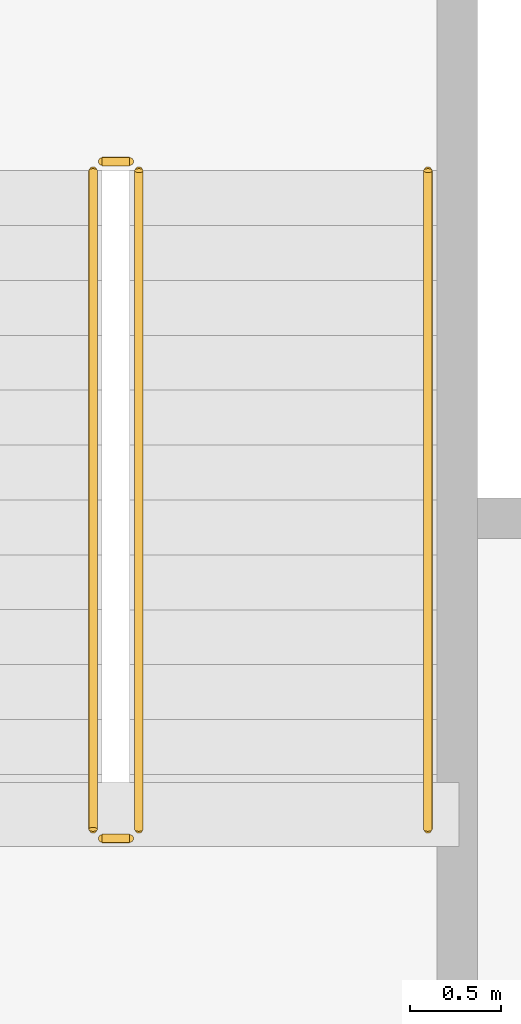
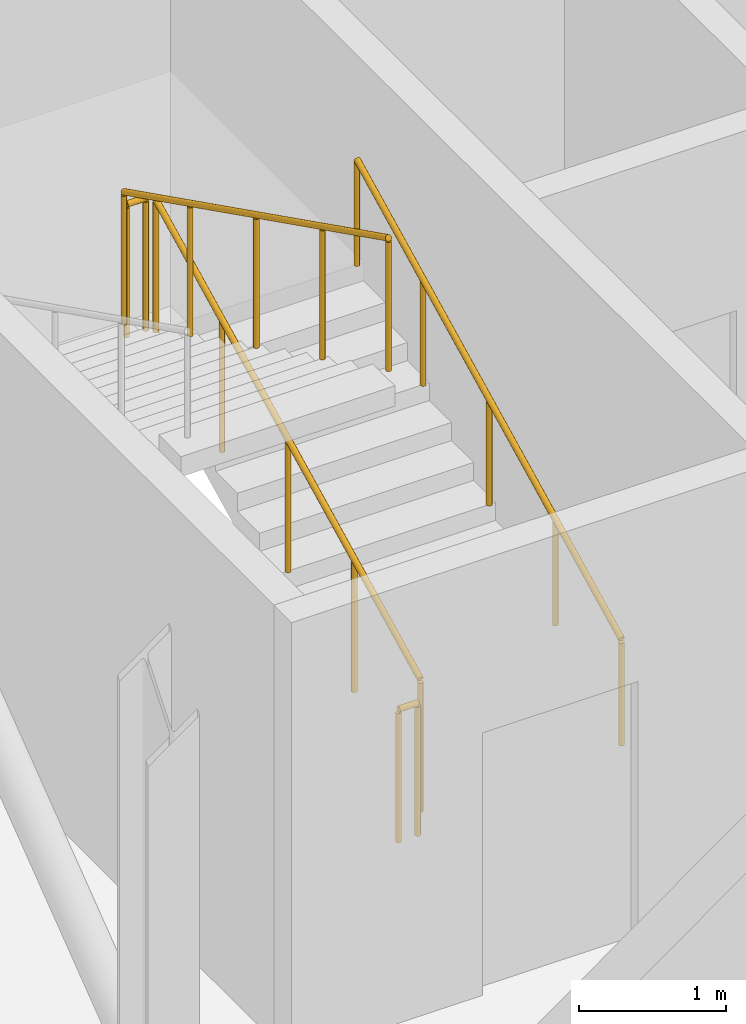
# One storey, part 75 of 77: 5 railings.
"""IFC4 building model written with IfcOpenShell, lengths in metres."""

from ifc_helpers import new_model, si_unit, direction, frame, origin, origin_2d, place, context, subcontext, project, spatial, circle, extrude, material, layer, layer_set, type_object, element, save


model = new_model("IFC4")

# Units and contexts
model_context = context("Model", 3, precision=1e-05, world=origin(), true_north=direction((0.0, 1.0)))
body_context = subcontext(model_context, "Body", "Model", "MODEL_VIEW")
ifc_project = project(units=[si_unit("LENGTHUNIT", "METRE"), si_unit("AREAUNIT", "SQUARE_METRE"), si_unit("VOLUMEUNIT", "CUBIC_METRE"), si_unit("PLANEANGLEUNIT", "RADIAN"), si_unit("MASSUNIT", "GRAM", prefix="KILO")], contexts=[model_context])

# Site, building, storey
site_placement = place(None, origin())
site = spatial("IfcSite", under=ifc_project, at=site_placement, CompositionType="ELEMENT")
building_placement = place(site_placement, origin())
building = spatial("IfcBuilding", under=site, at=building_placement, Name="Yukiwa Park Conservatory and Herbarium", CompositionType="ELEMENT")
storey_placement = place(building_placement, frame((0.0, 0.0, 13.199951171875)))
storey = spatial("IfcBuildingStorey", under=building, at=storey_placement, Name="L03", CompositionType="ELEMENT", Elevation=13.199951171875)

# Railings
ifc_material_1 = material(Name="Steel Q235B", Category="steel")
ifc_layer_1 = layer(ifc_material_1, 0.050048828125)
ifc_layer_set_1 = layer_set([ifc_layer_1], Name="Steel Q235B")
railing_type_1 = type_object("IfcRailingType", Name="RL-STAIR-GUARD-1120", PredefinedType="BALUSTRADE", material=ifc_layer_set_1)
railing_1_placement = place(storey_placement, frame((136.3701171875, 96.72998046875, 0.150146484375)))
element("IfcRailing", 1, at=railing_1_placement, inside=storey, type_object=railing_type_1, Name="L03 ST-T1 stair guard 1", PredefinedType="BALUSTRADE", context=body_context, shape_type="SweptSolid", body=[
    extrude(circle(Radius=0.02392578125, at=origin_2d()), frame((0.0, 0.0, 1.09619140625), z_axis=(0.0, 0.894451452574, 0.447165069061), x_axis=(-1.0, 0.0, 0.0)), (0.0, 0.0, 1.0), 4.02490234375),
    extrude(circle(Radius=0.02099609375, at=origin_2d()), origin(), (0.0, 0.0, 1.0), 1.072021484375),
    extrude(circle(Radius=0.02099609375, at=origin_2d()), frame((0.0, 0.89990234375, 0.449951171875)), (0.0, 0.0, 1.0), 1.072021484375),
    extrude(circle(Radius=0.02099609375, at=origin_2d()), frame((0.0, 1.800048828125, 0.89990234375)), (0.0, 0.0, 1.0), 1.072021484375),
    extrude(circle(Radius=0.02099609375, at=origin_2d()), frame((0.0, 2.7001953125, 1.349853515625)), (0.0, 0.0, 1.0), 1.072021484375),
    extrude(circle(Radius=0.02099609375, at=origin_2d()), frame((0.0, 3.60009765625, 1.7998046875)), (0.0, 0.0, 1.0), 1.072021484375),
])
railing_2_placement = place(storey_placement, frame((136.320068359375, 100.3798828125, 1.949951171875)))
element("IfcRailing", 2, at=railing_2_placement, inside=storey, type_object=railing_type_1, Name="L03 ST-T1 stair guard 2", PredefinedType="BALUSTRADE", context=body_context, shape_type="SweptSolid", body=[
    extrude(circle(Radius=0.02392578125, at=origin_2d()), frame((0.0, 0.0, 1.09619140625), z_axis=(-1.0, 0.0, 0.0), x_axis=(0.0, -1.0, 0.0)), (0.0, 0.0, 1.0), 0.150146484375),
    extrude(circle(Radius=0.02099609375, at=origin_2d()), origin(), (0.0, 0.0, 1.0), 1.072021484375),
    extrude(circle(Radius=0.02099609375, at=origin_2d()), frame((-0.150146484375, 0.0, 0.0)), (0.0, 0.0, 1.0), 1.072021484375),
])
railing_3_placement = place(storey_placement, frame((136.1201171875, 100.330078125, 2.10009765625)))
element("IfcRailing", 3, at=railing_3_placement, inside=storey, type_object=railing_type_1, Name="L03 ST-T1 stair guard 3", PredefinedType="BALUSTRADE", context=body_context, shape_type="SweptSolid", body=[
    extrude(circle(Radius=0.02392578125, at=origin_2d()), frame((0.0, 0.0, 1.09619140625), z_axis=(0.0, -0.894427191, 0.4472135955), x_axis=(1.0, 0.0, 0.0)), (0.0, 0.0, 1.0), 4.025146484375),
    extrude(circle(Radius=0.02099609375, at=origin_2d()), origin(), (0.0, 0.0, 1.0), 1.072021484375),
    extrude(circle(Radius=0.02099609375, at=origin_2d()), frame((0.0, -0.89990234375, 0.449951171875)), (0.0, 0.0, 1.0), 1.072021484375),
    extrude(circle(Radius=0.02099609375, at=origin_2d()), frame((0.0, -1.800048828125, 0.89990234375)), (0.0, 0.0, 1.0), 1.072021484375),
    extrude(circle(Radius=0.02099609375, at=origin_2d()), frame((0.0, -2.7001953125, 1.35009765625)), (0.0, 0.0, 1.0), 1.072021484375),
    extrude(circle(Radius=0.02099609375, at=origin_2d()), frame((0.0, -3.60009765625, 1.800048828125)), (0.0, 0.0, 1.0), 1.072021484375),
])
railing_4_placement = place(storey_placement, frame((136.320068359375, 96.679931640625, 0.0)))
element("IfcRailing", 4, at=railing_4_placement, inside=storey, type_object=railing_type_1, Name="L03 ST-T1 stair guard 4", PredefinedType="BALUSTRADE", context=body_context, shape_type="SweptSolid", body=[
    extrude(circle(Radius=0.02392578125, at=origin_2d()), frame((0.0, 0.0, 1.09619140625), z_axis=(-1.0, 0.0, 0.0), x_axis=(0.0, -1.0, 0.0)), (0.0, 0.0, 1.0), 0.150146484375),
    extrude(circle(Radius=0.02099609375, at=origin_2d()), origin(), (0.0, 0.0, 1.0), 1.072021484375),
    extrude(circle(Radius=0.02099609375, at=origin_2d()), frame((-0.150146484375, 0.0, 0.0)), (0.0, 0.0, 1.0), 1.072021484375),
])
ifc_material_2 = material(Name="Steel Q235B", Category="steel")
ifc_layer_2 = layer(ifc_material_2, 0.044921875)
ifc_layer_set_2 = layer_set([ifc_layer_2], Name="Steel Q235B")
railing_type_2 = type_object("IfcRailingType", Name="RL-STAIR-RAIL-900", PredefinedType="HANDRAIL", material=ifc_layer_set_2)
railing_5_placement = place(storey_placement, frame((137.949951171875, 96.72998046875, 0.150146484375)))
element("IfcRailing", 5, at=railing_5_placement, inside=storey, type_object=railing_type_2, Name="L03 ST-T1 stair handrail 1", PredefinedType="HANDRAIL", context=body_context, shape_type="SweptSolid", body=[
    extrude(circle(Radius=0.02392578125, at=origin_2d()), frame((0.0, 0.0, 0.8759765625), z_axis=(0.0, 0.894451452574, 0.447165069061), x_axis=(-1.0, 0.0, 0.0)), (0.0, 0.0, 1.0), 4.02490234375),
    extrude(circle(Radius=0.02099609375, at=origin_2d()), origin(), (0.0, 0.0, 1.0), 0.851806640625),
    extrude(circle(Radius=0.02099609375, at=origin_2d()), frame((0.0, 0.89990234375, 0.449951171875)), (0.0, 0.0, 1.0), 0.851806640625),
    extrude(circle(Radius=0.02099609375, at=origin_2d()), frame((0.0, 1.800048828125, 0.89990234375)), (0.0, 0.0, 1.0), 0.851806640625),
    extrude(circle(Radius=0.02099609375, at=origin_2d()), frame((0.0, 2.7001953125, 1.349853515625)), (0.0, 0.0, 1.0), 0.851806640625),
    extrude(circle(Radius=0.02099609375, at=origin_2d()), frame((0.0, 3.60009765625, 1.7998046875)), (0.0, 0.0, 1.0), 0.851806640625),
])

save(model, "model.ifc")
